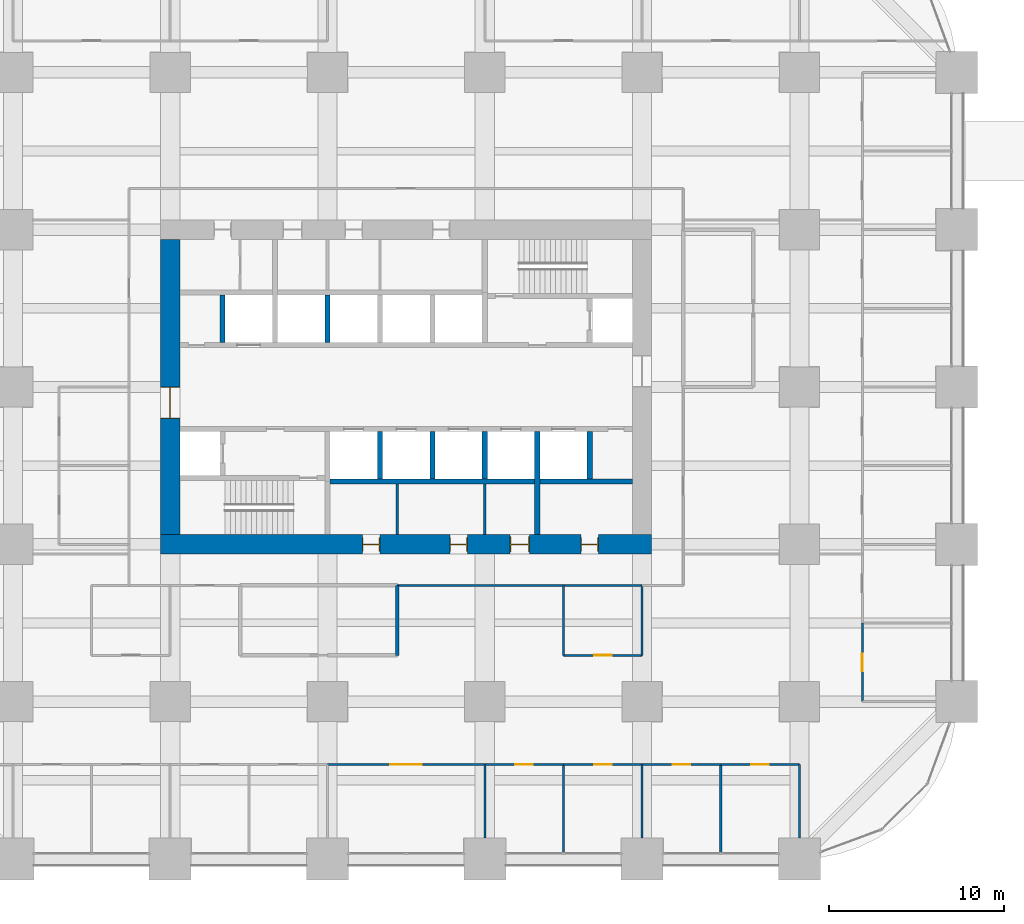
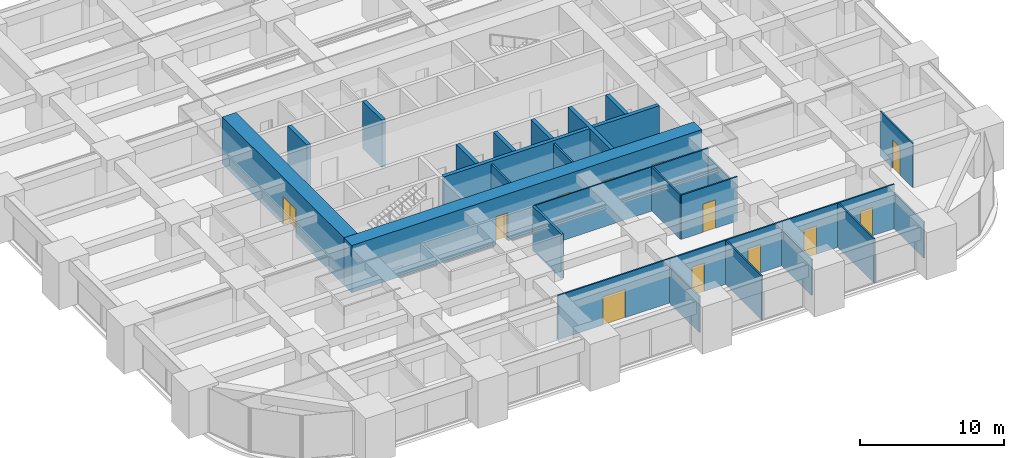
# One storey, part 34 of 39: 29 walls, 12 doors, 12 openings.
"""IFC4 building model written with IfcOpenShell, lengths in metres."""

from ifc_helpers import new_model, si_unit, direction, frame, frame_2d, origin, place, context, subcontext, project, spatial, rectangle, extrude, material, layer, layer_set, type_object, element, fill, save


model = new_model("IFC4")

# Units and contexts
model_context = context("Model", 3, precision=1e-05, world=origin(), true_north=direction((0.0, 1.0)))
body_context = subcontext(model_context, "Body", "Model", "MODEL_VIEW")
ifc_project = project(units=[si_unit("LENGTHUNIT", "METRE"), si_unit("AREAUNIT", "SQUARE_METRE"), si_unit("VOLUMEUNIT", "CUBIC_METRE"), si_unit("PLANEANGLEUNIT", "RADIAN"), si_unit("MASSUNIT", "GRAM", prefix="KILO")], contexts=[model_context])

# Site, building, storey
site_placement = place(None, origin())
site = spatial("IfcSite", under=ifc_project, at=site_placement, CompositionType="ELEMENT")
building_placement = place(site_placement, origin())
building = spatial("IfcBuilding", under=site, at=building_placement, Name="Zorevar Civic Tower", CompositionType="ELEMENT")
storey_placement = place(building_placement, frame((0.0, 0.0, 19.800048828125)))
storey = spatial("IfcBuildingStorey", under=building, at=storey_placement, Name="L04", CompositionType="ELEMENT", Elevation=19.800048828125)

# Wall
ifc_material_1 = material(Name="Concrete blockwork", Category="masonry")
ifc_layer_1 = layer(ifc_material_1, 0.199951171875)
ifc_layer_set_1 = layer_set([ifc_layer_1], Name="Blockwork wall 200")
wall_type_1 = type_object("IfcWallType", Name="Blockwork wall 200", PredefinedType="SOLIDWALL", material=ifc_layer_set_1)
wall_1_placement = place(storey_placement, frame((31.0, 11.64990234375, 0.0), z_axis=(0.0, 0.0, 1.0), x_axis=(0.0, 1.0, 0.0)))
element("IfcWall", 1, at=wall_1_placement, inside=storey, type_object=wall_type_1, Name="Blockwork wall 200 L04", PredefinedType="SOLIDWALL", context=body_context, shape_type="SweptSolid", body=[
    extrude(rectangle(XDim=4.0, YDim=0.199951171875, at=frame_2d((2.0, 0.0))), origin(), (0.0, 0.0, 1.0), 3.75),
])

# Wall, openings, doors
ifc_material_2 = material(Name="Concrete C50/60", Category="concrete")
ifc_layer_2 = layer(ifc_material_2, 1.10009765625)
ifc_layer_set_2 = layer_set([ifc_layer_2], Name="Core wall 1100")
wall_type_2 = type_object("IfcWallType", Name="Core wall 1100", PredefinedType="SHEAR", material=ifc_layer_set_2)
wall_2_placement = place(storey_placement, frame((17.449951171875, 18.0, 0.0), z_axis=(0.0, 0.0, 1.0), x_axis=(1.0, 0.0, 0.0)))
wall_2 = element("IfcWall", 2, at=wall_2_placement, inside=storey, type_object=wall_type_2, Name="Core wall S L04", PredefinedType="SHEAR", context=body_context, shape_type="SweptSolid", body=[
    extrude(rectangle(XDim=28.10009765625, YDim=1.10009765625, at=frame_2d((14.050048828125, 0.0))), origin(), (0.0, 0.0, 1.0), 4.0),
])
opening_1_placement = place(wall_2_placement, frame((11.550048828125, 0.0, 0.0)))
opening_1 = element("IfcOpeningElement", 3, at=opening_1_placement, cuts=wall_2, Name="Opening L04.03", PredefinedType="OPENING", context=body_context, shape_type="SweptSolid", body=[
    extrude(rectangle(XDim=1.0, YDim=2.39990234375, at=frame_2d((0.5, 1.199951171875))), frame((0.0, 0.56005859375, 0.0), z_axis=(0.0, -1.0, 0.0), x_axis=(1.0, 0.0, 0.0)), (0.0, 0.0, 1.0), 1.1201171875),
])
opening_2_placement = place(wall_2_placement, frame((16.550048828125, 0.0, 0.0)))
opening_2 = element("IfcOpeningElement", 4, at=opening_2_placement, cuts=wall_2, Name="Opening L04.04", PredefinedType="OPENING", context=body_context, shape_type="SweptSolid", body=[
    extrude(rectangle(XDim=1.0, YDim=2.39990234375, at=frame_2d((0.5, 1.199951171875))), frame((0.0, 0.56005859375, 0.0), z_axis=(0.0, -1.0, 0.0), x_axis=(1.0, 0.0, 0.0)), (0.0, 0.0, 1.0), 1.1201171875),
])
opening_3_placement = place(wall_2_placement, frame((20.0, 0.0, 0.0)))
opening_3 = element("IfcOpeningElement", 5, at=opening_3_placement, cuts=wall_2, Name="Opening L04.05", PredefinedType="OPENING", context=body_context, shape_type="SweptSolid", body=[
    extrude(rectangle(XDim=1.10009765625, YDim=2.39990234375, at=frame_2d((0.550048828125, 1.199951171875))), frame((0.0, 0.56005859375, 0.0), z_axis=(0.0, -1.0, 0.0), x_axis=(1.0, 0.0, 0.0)), (0.0, 0.0, 1.0), 1.1201171875),
])
opening_4_placement = place(wall_2_placement, frame((24.050048828125, 0.0, 0.0)))
opening_4 = element("IfcOpeningElement", 6, at=opening_4_placement, cuts=wall_2, Name="Opening L04.06", PredefinedType="OPENING", context=body_context, shape_type="SweptSolid", body=[
    extrude(rectangle(XDim=1.0, YDim=2.39990234375, at=frame_2d((0.5, 1.199951171875))), frame((0.0, 0.56005859375, 0.0), z_axis=(0.0, -1.0, 0.0), x_axis=(1.0, 0.0, 0.0)), (0.0, 0.0, 1.0), 1.1201171875),
])
ifc_material_3 = material(Name="Timber door set", Category="wood")
door_type_1 = type_object("IfcDoorType", Name="Door D1 1000x2400", OperationType="SINGLE_SWING_LEFT", PredefinedType="DOOR", material=ifc_material_3)
door_1_placement = place(opening_1_placement, origin())
door_1 = element("IfcDoor", 7, at=door_1_placement, inside=storey, type_object=door_type_1, Name="Door L04 02", OperationType="SINGLE_SWING_RIGHT", OverallHeight=2.39990234375, OverallWidth=1.0, PredefinedType="DOOR", context=body_context, shape_type="SweptSolid", body=[
    extrude(rectangle(XDim=1.0, YDim=2.39990234375, at=frame_2d((0.5, 1.199951171875))), frame((0.0, 0.02490234375, 0.0), z_axis=(0.0, -1.0, 0.0), x_axis=(1.0, 0.0, 0.0)), (0.0, 0.0, 1.0), 0.050048828125),
    extrude(rectangle(XDim=0.04, YDim=2.39990234375, at=frame_2d((0.02001953125, 1.199951171875))), frame((0.0, 0.39990234375, 0.0), z_axis=(0.0, -1.0, 0.0), x_axis=(1.0, 0.0, 0.0)), (0.0, 0.0, 1.0), 0.800048828125),
    extrude(rectangle(XDim=0.04, YDim=2.39990234375, at=frame_2d((0.97998046875, 1.199951171875))), frame((0.0, 0.39990234375, 0.0), z_axis=(0.0, -1.0, 0.0), x_axis=(1.0, 0.0, 0.0)), (0.0, 0.0, 1.0), 0.800048828125),
    extrude(rectangle(XDim=1.0, YDim=0.04, at=frame_2d((0.5, 2.3798828125))), frame((0.0, 0.39990234375, 0.0), z_axis=(0.0, -1.0, 0.0), x_axis=(1.0, 0.0, 0.0)), (0.0, 0.0, 1.0), 0.800048828125),
])
fill(opening_1, door_1)
door_2_placement = place(opening_2_placement, origin())
door_2 = element("IfcDoor", 8, at=door_2_placement, inside=storey, type_object=door_type_1, Name="Door L04 03", OperationType="SINGLE_SWING_LEFT", OverallHeight=2.39990234375, OverallWidth=1.0, PredefinedType="DOOR", context=body_context, shape_type="SweptSolid", body=[
    extrude(rectangle(XDim=1.0, YDim=2.39990234375, at=frame_2d((0.5, 1.199951171875))), frame((0.0, 0.02490234375, 0.0), z_axis=(0.0, -1.0, 0.0), x_axis=(1.0, 0.0, 0.0)), (0.0, 0.0, 1.0), 0.050048828125),
    extrude(rectangle(XDim=0.04, YDim=2.39990234375, at=frame_2d((0.02001953125, 1.199951171875))), frame((0.0, 0.39990234375, 0.0), z_axis=(0.0, -1.0, 0.0), x_axis=(1.0, 0.0, 0.0)), (0.0, 0.0, 1.0), 0.800048828125),
    extrude(rectangle(XDim=0.04, YDim=2.39990234375, at=frame_2d((0.97998046875, 1.199951171875))), frame((0.0, 0.39990234375, 0.0), z_axis=(0.0, -1.0, 0.0), x_axis=(1.0, 0.0, 0.0)), (0.0, 0.0, 1.0), 0.800048828125),
    extrude(rectangle(XDim=1.0, YDim=0.04, at=frame_2d((0.5, 2.3798828125))), frame((0.0, 0.39990234375, 0.0), z_axis=(0.0, -1.0, 0.0), x_axis=(1.0, 0.0, 0.0)), (0.0, 0.0, 1.0), 0.800048828125),
])
fill(opening_2, door_2)
door_3_placement = place(opening_4_placement, origin())
door_3 = element("IfcDoor", 9, at=door_3_placement, inside=storey, type_object=door_type_1, Name="Door L04 05", OperationType="SINGLE_SWING_LEFT", OverallHeight=2.39990234375, OverallWidth=1.0, PredefinedType="DOOR", context=body_context, shape_type="SweptSolid", body=[
    extrude(rectangle(XDim=1.0, YDim=2.39990234375, at=frame_2d((0.5, 1.199951171875))), frame((0.0, 0.02490234375, 0.0), z_axis=(0.0, -1.0, 0.0), x_axis=(1.0, 0.0, 0.0)), (0.0, 0.0, 1.0), 0.050048828125),
    extrude(rectangle(XDim=0.04, YDim=2.39990234375, at=frame_2d((0.02001953125, 1.199951171875))), frame((0.0, 0.39990234375, 0.0), z_axis=(0.0, -1.0, 0.0), x_axis=(1.0, 0.0, 0.0)), (0.0, 0.0, 1.0), 0.800048828125),
    extrude(rectangle(XDim=0.04, YDim=2.39990234375, at=frame_2d((0.97998046875, 1.199951171875))), frame((0.0, 0.39990234375, 0.0), z_axis=(0.0, -1.0, 0.0), x_axis=(1.0, 0.0, 0.0)), (0.0, 0.0, 1.0), 0.800048828125),
    extrude(rectangle(XDim=1.0, YDim=0.04, at=frame_2d((0.5, 2.3798828125))), frame((0.0, 0.39990234375, 0.0), z_axis=(0.0, -1.0, 0.0), x_axis=(1.0, 0.0, 0.0)), (0.0, 0.0, 1.0), 0.800048828125),
])
fill(opening_4, door_3)
ifc_material_4 = material(Name="Timber door set", Category="wood")
door_type_2 = type_object("IfcDoorType", Name="Door D5 1100x2400", OperationType="SINGLE_SWING_LEFT", PredefinedType="DOOR", material=ifc_material_4)
door_4_placement = place(opening_3_placement, origin())
door_4 = element("IfcDoor", 10, at=door_4_placement, inside=storey, type_object=door_type_2, Name="Door L04 04", OperationType="SINGLE_SWING_LEFT", OverallHeight=2.39990234375, OverallWidth=1.10009765625, PredefinedType="DOOR", context=body_context, shape_type="SweptSolid", body=[
    extrude(rectangle(XDim=1.10009765625, YDim=2.39990234375, at=frame_2d((0.550048828125, 1.199951171875))), frame((0.0, 0.02490234375, 0.0), z_axis=(0.0, -1.0, 0.0), x_axis=(1.0, 0.0, 0.0)), (0.0, 0.0, 1.0), 0.050048828125),
    extrude(rectangle(XDim=0.04, YDim=2.39990234375, at=frame_2d((0.02001953125, 1.199951171875))), frame((0.0, 0.43994140625, 0.0), z_axis=(0.0, -1.0, 0.0), x_axis=(1.0, 0.0, 0.0)), (0.0, 0.0, 1.0), 0.880126953125),
    extrude(rectangle(XDim=0.04, YDim=2.39990234375, at=frame_2d((1.080078125, 1.199951171875))), frame((0.0, 0.43994140625, 0.0), z_axis=(0.0, -1.0, 0.0), x_axis=(1.0, 0.0, 0.0)), (0.0, 0.0, 1.0), 0.880126953125),
    extrude(rectangle(XDim=1.10009765625, YDim=0.04, at=frame_2d((0.550048828125, 2.3798828125))), frame((0.0, 0.43994140625, 0.0), z_axis=(0.0, -1.0, 0.0), x_axis=(1.0, 0.0, 0.0)), (0.0, 0.0, 1.0), 0.880126953125),
])
fill(opening_3, door_4)

# Wall, opening, door
wall_3_placement = place(storey_placement, frame((18.0, 35.449951171875, 0.0), z_axis=(0.0, 0.0, 1.0), x_axis=(0.0, -1.0, 0.0)))
wall_3 = element("IfcWall", 11, at=wall_3_placement, inside=storey, type_object=wall_type_2, Name="Core wall W L04", PredefinedType="SHEAR", context=body_context, shape_type="SweptSolid", body=[
    extrude(rectangle(XDim=16.89990234375, YDim=1.10009765625, at=frame_2d((8.449951171875, 0.0))), origin(), (0.0, 0.0, 1.0), 4.0),
])
opening_5_placement = place(wall_3_placement, frame((8.449951171875, 0.0, 0.0)))
opening_5 = element("IfcOpeningElement", 12, at=opening_5_placement, cuts=wall_3, Name="Opening L04.01", PredefinedType="OPENING", context=body_context, shape_type="SweptSolid", body=[
    extrude(rectangle(XDim=1.800048828125, YDim=2.39990234375, at=frame_2d((0.89990234375, 1.199951171875))), frame((0.0, 0.56005859375, 0.0), z_axis=(0.0, -1.0, 0.0), x_axis=(1.0, 0.0, 0.0)), (0.0, 0.0, 1.0), 1.1201171875),
])
ifc_material_5 = material(Name="Steel door set", Category="steel")
door_type_3 = type_object("IfcDoorType", Name="Fire door FD2 1800x2400", OperationType="DOUBLE_DOOR_DOUBLE_SWING", PredefinedType="DOOR", material=ifc_material_5)
door_5_placement = place(opening_5_placement, origin())
door_5 = element("IfcDoor", 13, at=door_5_placement, inside=storey, type_object=door_type_3, Name="Door L04 00", OperationType="DOUBLE_DOOR_DOUBLE_SWING", OverallHeight=2.39990234375, OverallWidth=1.800048828125, PredefinedType="DOOR", context=body_context, shape_type="SweptSolid", body=[
    extrude(rectangle(XDim=1.800048828125, YDim=2.39990234375, at=frame_2d((0.89990234375, 1.199951171875))), frame((0.0, 0.030029296875, 0.0), z_axis=(0.0, -1.0, 0.0), x_axis=(1.0, 0.0, 0.0)), (0.0, 0.0, 1.0), 0.06005859375),
    extrude(rectangle(XDim=0.04, YDim=2.39990234375, at=frame_2d((0.02001953125, 1.199951171875))), frame((0.0, 0.5498046875, 0.0), z_axis=(0.0, -1.0, 0.0), x_axis=(1.0, 0.0, 0.0)), (0.0, 0.0, 1.0), 1.099609375),
    extrude(rectangle(XDim=0.04, YDim=2.39990234375, at=frame_2d((1.780029296875, 1.199951171875))), frame((0.0, 0.5498046875, 0.0), z_axis=(0.0, -1.0, 0.0), x_axis=(1.0, 0.0, 0.0)), (0.0, 0.0, 1.0), 1.099609375),
    extrude(rectangle(XDim=1.800048828125, YDim=0.04, at=frame_2d((0.89990234375, 2.3798828125))), frame((0.0, 0.5498046875, 0.0), z_axis=(0.0, -1.0, 0.0), x_axis=(1.0, 0.0, 0.0)), (0.0, 0.0, 1.0), 1.099609375),
])
fill(opening_5, door_5)

# Walls
ifc_material_6 = material(Name="Laminated glass in black aluminium frame", Category="aluminium")
ifc_layer_3 = layer(ifc_material_6, 0.10009765625)
ifc_layer_set_3 = layer_set([ifc_layer_3], Name="Glazed partition 100")
wall_type_3 = type_object("IfcWallType", Name="Glazed partition 100", PredefinedType="PARTITIONING", material=ifc_layer_set_3)
wall_4_placement = place(storey_placement, frame((31.0, 15.64990234375, 0.0), z_axis=(0.0, 0.0, 1.0), x_axis=(1.0, 0.0, 0.0)))
element("IfcWall", 14, at=wall_4_placement, inside=storey, type_object=wall_type_3, Name="Glazed partition 100 L04", PredefinedType="PARTITIONING", context=body_context, shape_type="SweptSolid", body=[
    extrude(rectangle(XDim=9.5, YDim=0.10009765625, at=frame_2d((4.75, 0.0))), origin(), (0.0, 0.0, 1.0), 3.75),
])
ifc_material_7 = material(Name="Concrete C40/50", Category="concrete")
ifc_layer_4 = layer(ifc_material_7, 0.300048828125)
ifc_layer_set_4 = layer_set([ifc_layer_4], Name="Inner core wall 300")
wall_type_4 = type_object("IfcWallType", Name="Inner core wall 300", PredefinedType="SHEAR", material=ifc_layer_set_4)
wall_5_placement = place(storey_placement, frame((27.14990234375, 21.60009765625, 0.0), z_axis=(0.0, 0.0, 1.0), x_axis=(1.0, 0.0, 0.0)))
element("IfcWall", 15, at=wall_5_placement, inside=storey, type_object=wall_type_4, Name="Inner core wall S04 L04", PredefinedType="SHEAR", context=body_context, shape_type="SweptSolid", body=[
    extrude(rectangle(XDim=17.300048828125, YDim=0.300048828125, at=frame_2d((8.64990234375, 0.0))), origin(), (0.0, 0.0, 1.0), 4.0),
])
for number, where, z_axis, x_axis, name in (
    (16, (30.0, 21.75, 0.0), (0.0, 0.0, 1.0), (0.0, 1.0, 0.0), "Inner core wall S05 L04"),
    (17, (33.0, 21.75, 0.0), (0.0, 0.0, 1.0), (0.0, 1.0, 0.0), "Inner core wall S06 L04"),
    (18, (36.0, 21.75, 0.0), (0.0, 0.0, 1.0), (0.0, 1.0, 0.0), "Inner core wall S07 L04"),
    (19, (27.0, 29.550048828125, 0.0), (0.0, 0.0, 1.0), (0.0, 1.0, 0.0), "Inner core wall N07 L04"),
):
    element("IfcWall", number, at=place(storey_placement, frame(where, z_axis=z_axis, x_axis=x_axis)), inside=storey, type_object=wall_type_4, Name=name, PredefinedType="SHEAR", context=body_context, shape_type="SweptSolid", body=[
        extrude(rectangle(XDim=2.699951171875, YDim=0.300048828125, at=frame_2d((1.35009765625, 0.0))), origin(), (0.0, 0.0, 1.0), 4.0),
    ])
wall_6_placement = place(storey_placement, frame((39.0, 18.550048828125, 0.0), z_axis=(0.0, 0.0, 1.0), x_axis=(0.0, 1.0, 0.0)))
element("IfcWall", 20, at=wall_6_placement, inside=storey, type_object=wall_type_4, Name="Inner core wall S08 L04", PredefinedType="SHEAR", context=body_context, shape_type="SweptSolid", body=[
    extrude(rectangle(XDim=5.89990234375, YDim=0.300048828125, at=frame_2d((2.949951171875, 0.0))), origin(), (0.0, 0.0, 1.0), 4.0),
])
for number, where, z_axis, x_axis, name in (
    (21, (42.0, 21.75, 0.0), (0.0, 0.0, 1.0), (0.0, 1.0, 0.0), "Inner core wall S09 L04"),
    (22, (21.0, 29.550048828125, 0.0), (0.0, 0.0, 1.0), (0.0, 1.0, 0.0), "Inner core wall N09 L04"),
):
    element("IfcWall", number, at=place(storey_placement, frame(where, z_axis=z_axis, x_axis=x_axis)), inside=storey, type_object=wall_type_4, Name=name, PredefinedType="SHEAR", context=body_context, shape_type="SweptSolid", body=[
        extrude(rectangle(XDim=2.699951171875, YDim=0.300048828125, at=frame_2d((1.35009765625, 0.0))), origin(), (0.0, 0.0, 1.0), 4.0),
    ])

# Wall, opening, door
ifc_material_8 = material(Name="Gypsum board on steel studs", Category="steel")
ifc_layer_5 = layer(ifc_material_8, 0.1201171875)
ifc_layer_set_5 = layer_set([ifc_layer_5], Name="Partition 120")
wall_type_5 = type_object("IfcWallType", Name="Partition 120", PredefinedType="PARTITIONING", material=ifc_layer_set_5)
wall_7_placement = place(storey_placement, frame((27.0, 5.39990234375, 0.0), z_axis=(0.0, 0.0, 1.0), x_axis=(1.0, 0.0, 0.0)))
wall_7 = element("IfcWall", 23, at=wall_7_placement, inside=storey, type_object=wall_type_5, Name="Partition 120 L04", PredefinedType="PARTITIONING", context=body_context, shape_type="SweptSolid", body=[
    extrude(rectangle(XDim=9.0, YDim=0.1201171875, at=frame_2d((4.5, 0.0))), origin(), (0.0, 0.0, 1.0), 3.75),
])
opening_6_placement = place(wall_7_placement, frame((3.60009765625, 0.0, 0.0)))
opening_6 = element("IfcOpeningElement", 24, at=opening_6_placement, cuts=wall_7, Name="Opening L04.21", PredefinedType="OPENING", context=body_context, shape_type="SweptSolid", body=[
    extrude(rectangle(XDim=1.800048828125, YDim=2.39990234375, at=frame_2d((0.89990234375, 1.199951171875))), frame((0.0, 0.070068359375, 0.0), z_axis=(0.0, -1.0, 0.0), x_axis=(1.0, 0.0, 0.0)), (0.0, 0.0, 1.0), 0.14013671875),
])
ifc_material_9 = material(Name="Steel door set", Category="steel")
door_type_4 = type_object("IfcDoorType", Name="Door D2 1800x2400", OperationType="DOUBLE_DOOR_SINGLE_SWING", PredefinedType="DOOR", material=ifc_material_9)
door_6_placement = place(opening_6_placement, origin())
door_6 = element("IfcDoor", 25, at=door_6_placement, inside=storey, type_object=door_type_4, Name="Door L04 D1", OperationType="DOUBLE_DOOR_SINGLE_SWING", OverallHeight=2.39990234375, OverallWidth=1.800048828125, PredefinedType="DOOR", context=body_context, shape_type="SweptSolid", body=[
    extrude(rectangle(XDim=1.800048828125, YDim=2.39990234375, at=frame_2d((0.89990234375, 1.199951171875))), frame((0.0, 0.02490234375, 0.0), z_axis=(0.0, -1.0, 0.0), x_axis=(1.0, 0.0, 0.0)), (0.0, 0.0, 1.0), 0.050048828125),
])
fill(opening_6, door_6)

wall_8_placement = place(storey_placement, frame((36.0, 5.39990234375, 0.0), z_axis=(0.0, 0.0, 1.0), x_axis=(1.0, 0.0, 0.0)))
wall_8 = element("IfcWall", 26, at=wall_8_placement, inside=storey, type_object=wall_type_5, Name="Partition 120 L04", PredefinedType="PARTITIONING", context=body_context, shape_type="SweptSolid", body=[
    extrude(rectangle(XDim=4.5, YDim=0.1201171875, at=frame_2d((2.25, 0.0))), origin(), (0.0, 0.0, 1.0), 3.75),
])
opening_7_placement = place(wall_8_placement, frame((1.75, 0.0, 0.0)))
opening_7 = element("IfcOpeningElement", 27, at=opening_7_placement, cuts=wall_8, Name="Opening L04.22", PredefinedType="OPENING", context=body_context, shape_type="SweptSolid", body=[
    extrude(rectangle(XDim=1.0, YDim=2.39990234375, at=frame_2d((0.5, 1.199951171875))), frame((0.0, 0.070068359375, 0.0), z_axis=(0.0, -1.0, 0.0), x_axis=(1.0, 0.0, 0.0)), (0.0, 0.0, 1.0), 0.14013671875),
])
door_7_placement = place(opening_7_placement, origin())
door_7 = element("IfcDoor", 28, at=door_7_placement, inside=storey, type_object=door_type_1, Name="Door L04 D1", OperationType="SINGLE_SWING_LEFT", OverallHeight=2.39990234375, OverallWidth=1.0, PredefinedType="DOOR", context=body_context, shape_type="SweptSolid", body=[
    extrude(rectangle(XDim=1.0, YDim=2.39990234375, at=frame_2d((0.5, 1.199951171875))), frame((0.0, 0.02490234375, 0.0), z_axis=(0.0, -1.0, 0.0), x_axis=(1.0, 0.0, 0.0)), (0.0, 0.0, 1.0), 0.050048828125),
])
fill(opening_7, door_7)

wall_9_placement = place(storey_placement, frame((40.5, 5.39990234375, 0.0), z_axis=(0.0, 0.0, 1.0), x_axis=(1.0, 0.0, 0.0)))
wall_9 = element("IfcWall", 29, at=wall_9_placement, inside=storey, type_object=wall_type_5, Name="Partition 120 L04", PredefinedType="PARTITIONING", context=body_context, shape_type="SweptSolid", body=[
    extrude(rectangle(XDim=4.5, YDim=0.1201171875, at=frame_2d((2.25, 0.0))), origin(), (0.0, 0.0, 1.0), 3.75),
])
opening_8_placement = place(wall_9_placement, frame((1.75, 0.0, 0.0)))
opening_8 = element("IfcOpeningElement", 30, at=opening_8_placement, cuts=wall_9, Name="Opening L04.23", PredefinedType="OPENING", context=body_context, shape_type="SweptSolid", body=[
    extrude(rectangle(XDim=1.0, YDim=2.39990234375, at=frame_2d((0.5, 1.199951171875))), frame((0.0, 0.070068359375, 0.0), z_axis=(0.0, -1.0, 0.0), x_axis=(1.0, 0.0, 0.0)), (0.0, 0.0, 1.0), 0.14013671875),
])
door_8_placement = place(opening_8_placement, origin())
door_8 = element("IfcDoor", 31, at=door_8_placement, inside=storey, type_object=door_type_1, Name="Door L04 D1", OperationType="SINGLE_SWING_LEFT", OverallHeight=2.39990234375, OverallWidth=1.0, PredefinedType="DOOR", context=body_context, shape_type="SweptSolid", body=[
    extrude(rectangle(XDim=1.0, YDim=2.39990234375, at=frame_2d((0.5, 1.199951171875))), frame((0.0, 0.02490234375, 0.0), z_axis=(0.0, -1.0, 0.0), x_axis=(1.0, 0.0, 0.0)), (0.0, 0.0, 1.0), 0.050048828125),
])
fill(opening_8, door_8)

wall_10_placement = place(storey_placement, frame((45.0, 5.39990234375, 0.0), z_axis=(0.0, 0.0, 1.0), x_axis=(1.0, 0.0, 0.0)))
wall_10 = element("IfcWall", 32, at=wall_10_placement, inside=storey, type_object=wall_type_5, Name="Partition 120 L04", PredefinedType="PARTITIONING", context=body_context, shape_type="SweptSolid", body=[
    extrude(rectangle(XDim=4.5, YDim=0.1201171875, at=frame_2d((2.25, 0.0))), origin(), (0.0, 0.0, 1.0), 3.75),
])
opening_9_placement = place(wall_10_placement, frame((1.75, 0.0, 0.0)))
opening_9 = element("IfcOpeningElement", 33, at=opening_9_placement, cuts=wall_10, Name="Opening L04.24", PredefinedType="OPENING", context=body_context, shape_type="SweptSolid", body=[
    extrude(rectangle(XDim=1.0, YDim=2.39990234375, at=frame_2d((0.5, 1.199951171875))), frame((0.0, 0.070068359375, 0.0), z_axis=(0.0, -1.0, 0.0), x_axis=(1.0, 0.0, 0.0)), (0.0, 0.0, 1.0), 0.14013671875),
])
door_9_placement = place(opening_9_placement, origin())
door_9 = element("IfcDoor", 34, at=door_9_placement, inside=storey, type_object=door_type_1, Name="Door L04 D1", OperationType="SINGLE_SWING_LEFT", OverallHeight=2.39990234375, OverallWidth=1.0, PredefinedType="DOOR", context=body_context, shape_type="SweptSolid", body=[
    extrude(rectangle(XDim=1.0, YDim=2.39990234375, at=frame_2d((0.5, 1.199951171875))), frame((0.0, 0.02490234375, 0.0), z_axis=(0.0, -1.0, 0.0), x_axis=(1.0, 0.0, 0.0)), (0.0, 0.0, 1.0), 0.050048828125),
])
fill(opening_9, door_9)

wall_11_placement = place(storey_placement, frame((49.5, 5.39990234375, 0.0), z_axis=(0.0, 0.0, 1.0), x_axis=(1.0, 0.0, 0.0)))
wall_11 = element("IfcWall", 35, at=wall_11_placement, inside=storey, type_object=wall_type_5, Name="Partition 120 L04", PredefinedType="PARTITIONING", context=body_context, shape_type="SweptSolid", body=[
    extrude(rectangle(XDim=4.5, YDim=0.1201171875, at=frame_2d((2.25, 0.0))), origin(), (0.0, 0.0, 1.0), 3.75),
])
opening_10_placement = place(wall_11_placement, frame((1.75, 0.0, 0.0)))
opening_10 = element("IfcOpeningElement", 36, at=opening_10_placement, cuts=wall_11, Name="Opening L04.25", PredefinedType="OPENING", context=body_context, shape_type="SweptSolid", body=[
    extrude(rectangle(XDim=1.0, YDim=2.39990234375, at=frame_2d((0.5, 1.199951171875))), frame((0.0, 0.070068359375, 0.0), z_axis=(0.0, -1.0, 0.0), x_axis=(1.0, 0.0, 0.0)), (0.0, 0.0, 1.0), 0.14013671875),
])
door_10_placement = place(opening_10_placement, origin())
door_10 = element("IfcDoor", 37, at=door_10_placement, inside=storey, type_object=door_type_1, Name="Door L04 D1", OperationType="SINGLE_SWING_LEFT", OverallHeight=2.39990234375, OverallWidth=1.0, PredefinedType="DOOR", context=body_context, shape_type="SweptSolid", body=[
    extrude(rectangle(XDim=1.0, YDim=2.39990234375, at=frame_2d((0.5, 1.199951171875))), frame((0.0, 0.02490234375, 0.0), z_axis=(0.0, -1.0, 0.0), x_axis=(1.0, 0.0, 0.0)), (0.0, 0.0, 1.0), 0.050048828125),
])
fill(opening_10, door_10)

wall_12_placement = place(storey_placement, frame((40.5, 11.64990234375, 0.0), z_axis=(0.0, 0.0, 1.0), x_axis=(1.0, 0.0, 0.0)))
wall_12 = element("IfcWall", 38, at=wall_12_placement, inside=storey, type_object=wall_type_5, Name="Partition 120 L04", PredefinedType="PARTITIONING", context=body_context, shape_type="SweptSolid", body=[
    extrude(rectangle(XDim=4.5, YDim=0.1201171875, at=frame_2d((2.25, 0.0))), origin(), (0.0, 0.0, 1.0), 3.75),
])
opening_11_placement = place(wall_12_placement, frame((1.75, 0.0, 0.0)))
opening_11 = element("IfcOpeningElement", 39, at=opening_11_placement, cuts=wall_12, Name="Opening L04.28", PredefinedType="OPENING", context=body_context, shape_type="SweptSolid", body=[
    extrude(rectangle(XDim=1.0, YDim=2.39990234375, at=frame_2d((0.5, 1.199951171875))), frame((0.0, 0.070068359375, 0.0), z_axis=(0.0, -1.0, 0.0), x_axis=(1.0, 0.0, 0.0)), (0.0, 0.0, 1.0), 0.14013671875),
])
door_11_placement = place(opening_11_placement, origin())
door_11 = element("IfcDoor", 40, at=door_11_placement, inside=storey, type_object=door_type_1, Name="Door L04 D1", OperationType="SINGLE_SWING_RIGHT", OverallHeight=2.39990234375, OverallWidth=1.0, PredefinedType="DOOR", context=body_context, shape_type="SweptSolid", body=[
    extrude(rectangle(XDim=1.0, YDim=2.39990234375, at=frame_2d((0.5, 1.199951171875))), frame((0.0, 0.02490234375, 0.0), z_axis=(0.0, -1.0, 0.0), x_axis=(1.0, 0.0, 0.0)), (0.0, 0.0, 1.0), 0.050048828125),
])
fill(opening_11, door_11)

# Walls
wall_13_placement = place(storey_placement, frame((40.5, 15.64990234375, 0.0), z_axis=(0.0, 0.0, 1.0), x_axis=(1.0, 0.0, 0.0)))
element("IfcWall", 41, at=wall_13_placement, inside=storey, type_object=wall_type_5, Name="Partition 120 L04", PredefinedType="PARTITIONING", context=body_context, shape_type="SweptSolid", body=[
    extrude(rectangle(XDim=4.5, YDim=0.1201171875, at=frame_2d((2.25, 0.0))), origin(), (0.0, 0.0, 1.0), 3.75),
])
wall_14_placement = place(storey_placement, frame((36.0, 1.199951171875, 0.0), z_axis=(0.0, 0.0, 1.0), x_axis=(0.0, 1.0, 0.0)))
element("IfcWall", 42, at=wall_14_placement, inside=storey, type_object=wall_type_5, Name="Partition 120 L04", PredefinedType="PARTITIONING", context=body_context, shape_type="SweptSolid", body=[
    extrude(rectangle(XDim=4.199951171875, YDim=0.1201171875, at=frame_2d((2.10009765625, 0.0))), origin(), (0.0, 0.0, 1.0), 3.050048828125),
])
wall_15_placement = place(storey_placement, frame((40.5, 0.31005859375, 0.0), z_axis=(0.0, 0.0, 1.0), x_axis=(0.0, 1.0, 0.0)))
element("IfcWall", 43, at=wall_15_placement, inside=storey, type_object=wall_type_5, Name="Partition 120 L04", PredefinedType="PARTITIONING", context=body_context, shape_type="SweptSolid", body=[
    extrude(rectangle(XDim=5.08984375, YDim=0.1201171875, at=frame_2d((2.544921875, 0.0))), origin(), (0.0, 0.0, 1.0), 3.75),
])
wall_16_placement = place(storey_placement, frame((40.5, 11.64990234375, 0.0), z_axis=(0.0, 0.0, 1.0), x_axis=(0.0, 1.0, 0.0)))
element("IfcWall", 44, at=wall_16_placement, inside=storey, type_object=wall_type_5, Name="Partition 120 L04", PredefinedType="PARTITIONING", context=body_context, shape_type="SweptSolid", body=[
    extrude(rectangle(XDim=4.0, YDim=0.1201171875, at=frame_2d((2.0, 0.0))), origin(), (0.0, 0.0, 1.0), 3.75),
])
wall_17_placement = place(storey_placement, frame((45.0, 1.199951171875, 0.0), z_axis=(0.0, 0.0, 1.0), x_axis=(0.0, 1.0, 0.0)))
element("IfcWall", 45, at=wall_17_placement, inside=storey, type_object=wall_type_5, Name="Partition 120 L04", PredefinedType="PARTITIONING", context=body_context, shape_type="SweptSolid", body=[
    extrude(rectangle(XDim=4.199951171875, YDim=0.1201171875, at=frame_2d((2.10009765625, 0.0))), origin(), (0.0, 0.0, 1.0), 3.050048828125),
])
wall_18_placement = place(storey_placement, frame((45.0, 11.64990234375, 0.0), z_axis=(0.0, 0.0, 1.0), x_axis=(0.0, 1.0, 0.0)))
element("IfcWall", 46, at=wall_18_placement, inside=storey, type_object=wall_type_5, Name="Partition 120 L04", PredefinedType="PARTITIONING", context=body_context, shape_type="SweptSolid", body=[
    extrude(rectangle(XDim=4.0, YDim=0.1201171875, at=frame_2d((2.0, 0.0))), origin(), (0.0, 0.0, 1.0), 3.050048828125),
])
wall_19_placement = place(storey_placement, frame((49.5, 0.31005859375, 0.0), z_axis=(0.0, 0.0, 1.0), x_axis=(0.0, 1.0, 0.0)))
element("IfcWall", 47, at=wall_19_placement, inside=storey, type_object=wall_type_5, Name="Partition 120 L04", PredefinedType="PARTITIONING", context=body_context, shape_type="SweptSolid", body=[
    extrude(rectangle(XDim=5.08984375, YDim=0.1201171875, at=frame_2d((2.544921875, 0.0))), origin(), (0.0, 0.0, 1.0), 3.75),
])
wall_20_placement = place(storey_placement, frame((54.0, 1.199951171875, 0.0), z_axis=(0.0, 0.0, 1.0), x_axis=(0.0, 1.0, 0.0)))
element("IfcWall", 48, at=wall_20_placement, inside=storey, type_object=wall_type_5, Name="Partition 120 L04", PredefinedType="PARTITIONING", context=body_context, shape_type="SweptSolid", body=[
    extrude(rectangle(XDim=4.199951171875, YDim=0.1201171875, at=frame_2d((2.10009765625, 0.0))), origin(), (0.0, 0.0, 1.0), 3.050048828125),
])

# Wall, opening, door
wall_21_placement = place(storey_placement, frame((57.60009765625, 9.0, 0.0), z_axis=(0.0, 0.0, 1.0), x_axis=(0.0, 1.0, 0.0)))
wall_21 = element("IfcWall", 49, at=wall_21_placement, inside=storey, type_object=wall_type_5, Name="Partition 120 L04", PredefinedType="PARTITIONING", context=body_context, shape_type="SweptSolid", body=[
    extrude(rectangle(XDim=4.5, YDim=0.1201171875, at=frame_2d((2.25, 0.0))), origin(), (0.0, 0.0, 1.0), 3.75),
])
opening_12_placement = place(wall_21_placement, frame((1.75, 0.0, 0.0)))
opening_12 = element("IfcOpeningElement", 50, at=opening_12_placement, cuts=wall_21, Name="Opening L04.42", PredefinedType="OPENING", context=body_context, shape_type="SweptSolid", body=[
    extrude(rectangle(XDim=1.0, YDim=2.39990234375, at=frame_2d((0.5, 1.199951171875))), frame((0.0, 0.070068359375, 0.0), z_axis=(0.0, -1.0, 0.0), x_axis=(1.0, 0.0, 0.0)), (0.0, 0.0, 1.0), 0.14013671875),
])
door_12_placement = place(opening_12_placement, origin())
door_12 = element("IfcDoor", 51, at=door_12_placement, inside=storey, type_object=door_type_1, Name="Door L04 D1", OperationType="SINGLE_SWING_LEFT", OverallHeight=2.39990234375, OverallWidth=1.0, PredefinedType="DOOR", context=body_context, shape_type="SweptSolid", body=[
    extrude(rectangle(XDim=1.0, YDim=2.39990234375, at=frame_2d((0.5, 1.199951171875))), frame((0.0, 0.02490234375, 0.0), z_axis=(0.0, -1.0, 0.0), x_axis=(1.0, 0.0, 0.0)), (0.0, 0.0, 1.0), 0.050048828125),
])
fill(opening_12, door_12)

# Walls
ifc_material_10 = material(Name="Gypsum board on steel studs, moisture resistant", Category="steel")
ifc_layer_6 = layer(ifc_material_10, 0.14990234375)
ifc_layer_set_6 = layer_set([ifc_layer_6], Name="WC partition 150")
wall_type_6 = type_object("IfcWallType", Name="WC partition 150", PredefinedType="PARTITIONING", material=ifc_layer_set_6)
for number, where, z_axis, x_axis, name in (
    (52, (31.0, 18.550048828125, 0.0), (0.0, 0.0, 1.0), (0.0, 1.0, 0.0), "WC partition L04"),
    (53, (36.0, 18.550048828125, 0.0), (0.0, 0.0, 1.0), (0.0, 1.0, 0.0), "WC partition L04"),
):
    element("IfcWall", number, at=place(storey_placement, frame(where, z_axis=z_axis, x_axis=x_axis)), inside=storey, type_object=wall_type_6, Name=name, PredefinedType="PARTITIONING", context=body_context, shape_type="SweptSolid", body=[
        extrude(rectangle(XDim=2.89990234375, YDim=0.14990234375, at=frame_2d((1.449951171875, 0.0))), origin(), (0.0, 0.0, 1.0), 3.75),
    ])

save(model, "model.ifc")
